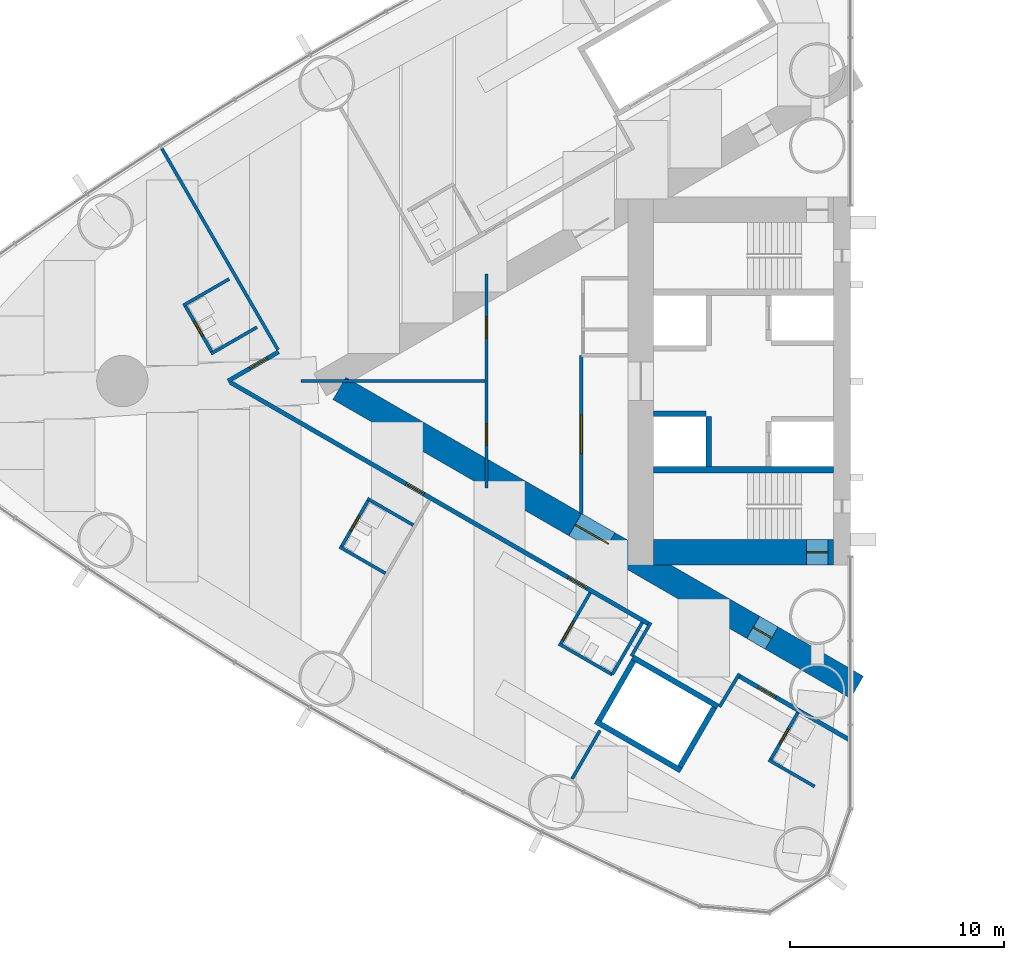
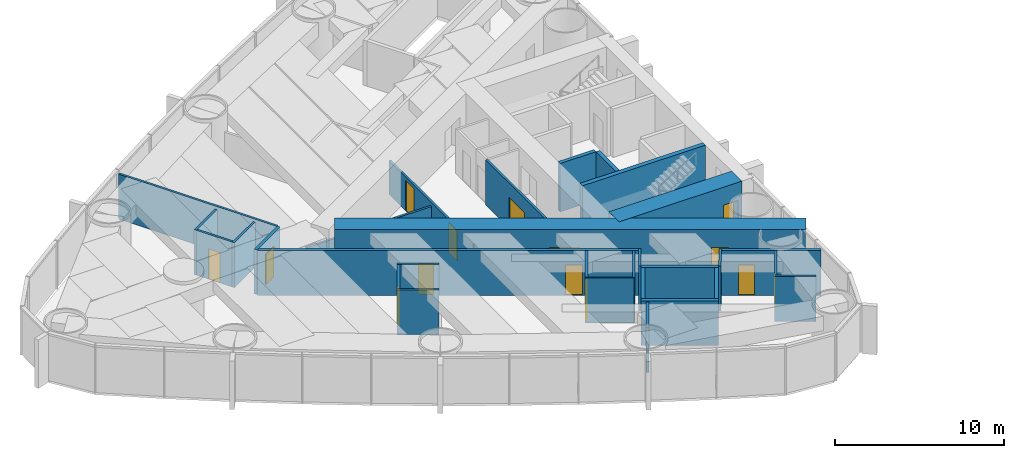
# One storey, part 11 of 18: 30 walls, 14 doors, 14 openings.
"""IFC4 building model written with IfcOpenShell, lengths in metres."""

from ifc_helpers import new_model, si_unit, direction, frame, frame_2d, origin, place, context, subcontext, project, spatial, rectangle, extrude, material, layer, layer_set, type_object, element, fill, save


model = new_model("IFC4")

# Units and contexts
model_context = context("Model", 3, precision=1e-05, world=origin(), true_north=direction((0.0, 1.0)))
body_context = subcontext(model_context, "Body", "Model", "MODEL_VIEW")
ifc_project = project(units=[si_unit("LENGTHUNIT", "METRE"), si_unit("AREAUNIT", "SQUARE_METRE"), si_unit("VOLUMEUNIT", "CUBIC_METRE"), si_unit("PLANEANGLEUNIT", "RADIAN"), si_unit("MASSUNIT", "GRAM", prefix="KILO")], contexts=[model_context])

# Site, building, storey
site_placement = place(None, origin())
site = spatial("IfcSite", under=ifc_project, at=site_placement, CompositionType="ELEMENT")
building_placement = place(site_placement, origin())
building = spatial("IfcBuilding", under=site, at=building_placement, Name="Lancet Gate Hotel", CompositionType="ELEMENT")
storey_placement = place(building_placement, frame((0.0, 0.0, 125.60009765625)))
storey = spatial("IfcBuildingStorey", under=building, at=storey_placement, Name="L33", CompositionType="ELEMENT", Elevation=125.60009765625)

# Wall
ifc_material_1 = material(Name="Moisture resistant board partition")
ifc_layer_1 = layer(ifc_material_1, 0.14990234375)
ifc_layer_set_1 = layer_set([ifc_layer_1], Name="Bathroom wall 150")
wall_type_1 = type_object("IfcWallType", Name="Bathroom wall 150", PredefinedType="PARTITIONING", material=ifc_layer_set_1)
wall_1_placement = place(storey_placement, frame((-56.51708984375, 4.763916015625, 0.0), z_axis=(0.0, 0.0, 1.0), x_axis=(-0.866031185235, -0.4999899861, 0.0)))
element("IfcWall", 1, at=wall_1_placement, inside=storey, type_object=wall_type_1, Name="T1 bathroom wall 150 L33", PredefinedType="PARTITIONING", context=body_context, shape_type="SweptSolid", body=[
    extrude(rectangle(XDim=2.47509765625, YDim=0.14990234375, at=frame_2d((1.237548828125, 0.0))), origin(), (0.0, 0.0, 1.0), 3.25),
])

# Wall, opening, door
wall_2_placement = place(storey_placement, frame((-57.295654296875, 1.312255859375, 0.0), z_axis=(0.0, 0.0, 1.0), x_axis=(-0.49997716683, 0.86603858612, 0.0)))
wall_2 = element("IfcWall", 2, at=wall_2_placement, inside=storey, type_object=wall_type_1, Name="T1 bathroom wall 150 L33", PredefinedType="PARTITIONING", context=body_context, shape_type="SweptSolid", body=[
    extrude(rectangle(XDim=2.599609375, YDim=0.14990234375, at=frame_2d((1.2998046875, 0.0))), origin(), (0.0, 0.0, 1.0), 3.25),
])
opening_1_placement = place(wall_2_placement, frame((0.89990234375, 0.0, 0.0)))
opening_1 = element("IfcOpeningElement", 3, at=opening_1_placement, cuts=wall_2, Name="Opening 3304-B", PredefinedType="OPENING", context=body_context, shape_type="SweptSolid", body=[
    extrude(rectangle(XDim=0.800048828125, YDim=2.199951171875, at=frame_2d((0.39990234375, 1.10009765625))), frame((0.0, 0.0849609375, 0.0), z_axis=(0.0, -1.0, 0.0), x_axis=(1.0, 0.0, 0.0)), (0.0, 0.0, 1.0), 0.169921875),
])
ifc_material_2 = material(Name="Timber door set", Category="wood")
door_type_1 = type_object("IfcDoorType", Name="Bathroom door 800", OperationType="SINGLE_SWING_RIGHT", PredefinedType="DOOR", material=ifc_material_2)
door_1_placement = place(opening_1_placement, origin())
door_1 = element("IfcDoor", 4, at=door_1_placement, inside=storey, type_object=door_type_1, Name="3304-B", OperationType="SINGLE_SWING_RIGHT", OverallHeight=2.199951171875, OverallWidth=0.800048828125, PredefinedType="DOOR", context=body_context, shape_type="SweptSolid", body=[
    extrude(rectangle(XDim=0.800048828125, YDim=2.199951171875, at=frame_2d((0.39990234375, 1.10009765625))), frame((0.0, 0.02490234375, 0.0), z_axis=(0.0, -1.0, 0.0), x_axis=(1.0, 0.0, 0.0)), (0.0, 0.0, 1.0), 0.050048828125),
])
fill(opening_1, door_1)

# Walls
for number, where, z_axis, x_axis, name in (
    (5, (-55.217041015625, 2.51220703125, 0.0), (0.0, 0.0, 1.0), (-0.866031185235, -0.4999899861, 0.0), "T1 bathroom wall 150 L33"),
    (6, (-49.216064453125, -8.97900390625, 0.0), (0.0, 0.0, 1.0), (-0.866031185235, 0.4999899861, 0.0), "T1 bathroom wall 150 L33"),
):
    element("IfcWall", number, at=place(storey_placement, frame(where, z_axis=z_axis, x_axis=x_axis)), inside=storey, type_object=wall_type_1, Name=name, PredefinedType="PARTITIONING", context=body_context, shape_type="SweptSolid", body=[
        extrude(rectangle(XDim=2.47509765625, YDim=0.14990234375, at=frame_2d((1.237548828125, 0.0))), origin(), (0.0, 0.0, 1.0), 3.25),
    ])

# Wall, opening, door
wall_3_placement = place(storey_placement, frame((-49.99462890625, -5.52734375, 0.0), z_axis=(0.0, 0.0, 1.0), x_axis=(-0.500006934395, -0.866021400173, 0.0)))
wall_3 = element("IfcWall", 7, at=wall_3_placement, inside=storey, type_object=wall_type_1, Name="T1 bathroom wall 150 L33", PredefinedType="PARTITIONING", context=body_context, shape_type="SweptSolid", body=[
    extrude(rectangle(XDim=2.60009765625, YDim=0.14990234375, at=frame_2d((1.300048828125, 0.0))), origin(), (0.0, 0.0, 1.0), 3.25),
])
opening_2_placement = place(wall_3_placement, frame((0.89990234375, 0.0, 0.0)))
opening_2 = element("IfcOpeningElement", 8, at=opening_2_placement, cuts=wall_3, Name="Opening 3305-B", PredefinedType="OPENING", context=body_context, shape_type="SweptSolid", body=[
    extrude(rectangle(XDim=0.800048828125, YDim=2.199951171875, at=frame_2d((0.39990234375, 1.10009765625))), frame((0.0, 0.0849609375, 0.0), z_axis=(0.0, -1.0, 0.0), x_axis=(1.0, 0.0, 0.0)), (0.0, 0.0, 1.0), 0.169921875),
])
door_2_placement = place(opening_2_placement, origin())
door_2 = element("IfcDoor", 9, at=door_2_placement, inside=storey, type_object=door_type_1, Name="3305-B", OperationType="SINGLE_SWING_RIGHT", OverallHeight=2.199951171875, OverallWidth=0.800048828125, PredefinedType="DOOR", context=body_context, shape_type="SweptSolid", body=[
    extrude(rectangle(XDim=0.800048828125, YDim=2.199951171875, at=frame_2d((0.39990234375, 1.10009765625))), frame((0.0, 0.02490234375, 0.0), z_axis=(0.0, -1.0, 0.0), x_axis=(1.0, 0.0, 0.0)), (0.0, 0.0, 1.0), 0.050048828125),
])
fill(opening_2, door_2)

# Walls
wall_4_placement = place(storey_placement, frame((-47.916015625, -6.727294921875, 0.0), z_axis=(0.0, 0.0, 1.0), x_axis=(-0.866031185235, 0.4999899861, 0.0)))
element("IfcWall", 10, at=wall_4_placement, inside=storey, type_object=wall_type_1, Name="T1 bathroom wall 150 L33", PredefinedType="PARTITIONING", context=body_context, shape_type="SweptSolid", body=[
    extrude(rectangle(XDim=2.47509765625, YDim=0.14990234375, at=frame_2d((1.237548828125, 0.0))), origin(), (0.0, 0.0, 1.0), 3.25),
])
wall_5_placement = place(storey_placement, frame((-38.630126953125, -13.705322265625, 0.0), z_axis=(0.0, 0.0, 1.0), x_axis=(-0.866018712932, 0.500011588718, 0.0)))
element("IfcWall", 11, at=wall_5_placement, inside=storey, type_object=wall_type_1, Name="T1 bathroom wall 150 L33", PredefinedType="PARTITIONING", context=body_context, shape_type="SweptSolid", body=[
    extrude(rectangle(XDim=2.875, YDim=0.14990234375, at=frame_2d((1.4375, 0.0))), origin(), (0.0, 0.0, 1.0), 3.25),
])

# Wall, opening, door
wall_6_placement = place(storey_placement, frame((-39.65478515625, -9.88037109375, 0.0), z_axis=(0.0, 0.0, 1.0), x_axis=(-0.500049511043, -0.865996816683, 0.0)))
wall_6 = element("IfcWall", 12, at=wall_6_placement, inside=storey, type_object=wall_type_1, Name="T1 bathroom wall 150 L33", PredefinedType="PARTITIONING", context=body_context, shape_type="SweptSolid", body=[
    extrude(rectangle(XDim=2.800048828125, YDim=0.14990234375, at=frame_2d((1.39990234375, 0.0))), origin(), (0.0, 0.0, 1.0), 3.25),
])
opening_3_placement = place(wall_6_placement, frame((1.550048828125, 0.0, 0.0)))
opening_3 = element("IfcOpeningElement", 13, at=opening_3_placement, cuts=wall_6, Name="Opening 3307-B", PredefinedType="OPENING", context=body_context, shape_type="SweptSolid", body=[
    extrude(rectangle(XDim=1.0, YDim=2.199951171875, at=frame_2d((0.5, 1.10009765625))), frame((0.0, 0.0849609375, 0.0), z_axis=(0.0, -1.0, 0.0), x_axis=(1.0, 0.0, 0.0)), (0.0, 0.0, 1.0), 0.169921875),
])
ifc_material_3 = material(Name="Timber door set", Category="wood")
door_type_2 = type_object("IfcDoorType", Name="Accessible en-suite door 1000", OperationType="SINGLE_SWING_RIGHT", PredefinedType="DOOR", material=ifc_material_3)
door_3_placement = place(opening_3_placement, origin())
door_3 = element("IfcDoor", 14, at=door_3_placement, inside=storey, type_object=door_type_2, Name="3307-B", OperationType="SINGLE_SWING_RIGHT", OverallHeight=2.199951171875, OverallWidth=1.0, PredefinedType="DOOR", context=body_context, shape_type="SweptSolid", body=[
    extrude(rectangle(XDim=1.0, YDim=2.199951171875, at=frame_2d((0.5, 1.10009765625))), frame((0.0, 0.02490234375, 0.0), z_axis=(0.0, -1.0, 0.0), x_axis=(1.0, 0.0, 0.0)), (0.0, 0.0, 1.0), 0.050048828125),
])
fill(opening_3, door_3)

# Walls
wall_7_placement = place(storey_placement, frame((-37.22998046875, -11.280517578125, 0.0), z_axis=(0.0, 0.0, 1.0), x_axis=(-0.500049511043, -0.865996816683, 0.0)))
element("IfcWall", 15, at=wall_7_placement, inside=storey, type_object=wall_type_1, Name="T1 bathroom wall 150 L33", PredefinedType="PARTITIONING", context=body_context, shape_type="SweptSolid", body=[
    extrude(rectangle(XDim=2.800048828125, YDim=0.14990234375, at=frame_2d((1.39990234375, 0.0))), origin(), (0.0, 0.0, 1.0), 3.25),
])
wall_8_placement = place(storey_placement, frame((-29.181884765625, -18.92919921875, 0.0), z_axis=(0.0, 0.0, 1.0), x_axis=(-0.866006523861, 0.500032699561, 0.0)))
element("IfcWall", 16, at=wall_8_placement, inside=storey, type_object=wall_type_1, Name="T1 bathroom wall 150 L33", PredefinedType="PARTITIONING", context=body_context, shape_type="SweptSolid", body=[
    extrude(rectangle(XDim=2.474853515625, YDim=0.14990234375, at=frame_2d((1.2373046875, 0.0))), origin(), (0.0, 0.0, 1.0), 3.25),
])

# Wall, opening, door
wall_9_placement = place(storey_placement, frame((-29.960205078125, -15.4775390625, 0.0), z_axis=(0.0, 0.0, 1.0), x_axis=(-0.500006934395, -0.866021400173, 0.0)))
wall_9 = element("IfcWall", 17, at=wall_9_placement, inside=storey, type_object=wall_type_1, Name="T1 bathroom wall 150 L33", PredefinedType="PARTITIONING", context=body_context, shape_type="SweptSolid", body=[
    extrude(rectangle(XDim=2.60009765625, YDim=0.14990234375, at=frame_2d((1.300048828125, 0.0))), origin(), (0.0, 0.0, 1.0), 3.25),
])
opening_4_placement = place(wall_9_placement, frame((0.89990234375, 0.0, 0.0)))
opening_4 = element("IfcOpeningElement", 18, at=opening_4_placement, cuts=wall_9, Name="Opening 3308-B", PredefinedType="OPENING", context=body_context, shape_type="SweptSolid", body=[
    extrude(rectangle(XDim=0.800048828125, YDim=2.199951171875, at=frame_2d((0.39990234375, 1.10009765625))), frame((0.0, 0.0849609375, 0.0), z_axis=(0.0, -1.0, 0.0), x_axis=(1.0, 0.0, 0.0)), (0.0, 0.0, 1.0), 0.169921875),
])
door_4_placement = place(opening_4_placement, origin())
door_4 = element("IfcDoor", 19, at=door_4_placement, inside=storey, type_object=door_type_1, Name="3308-B", OperationType="SINGLE_SWING_RIGHT", OverallHeight=2.199951171875, OverallWidth=0.800048828125, PredefinedType="DOOR", context=body_context, shape_type="SweptSolid", body=[
    extrude(rectangle(XDim=0.800048828125, YDim=2.199951171875, at=frame_2d((0.39990234375, 1.10009765625))), frame((0.0, 0.02490234375, 0.0), z_axis=(0.0, -1.0, 0.0), x_axis=(1.0, 0.0, 0.0)), (0.0, 0.0, 1.0), 0.050048828125),
])
fill(opening_4, door_4)

# Wall, openings, doors
ifc_material_4 = material(Name="Concrete C70/85", Category="concrete")
ifc_layer_2 = layer(ifc_material_4, 1.199951171875)
ifc_layer_set_2 = layer_set([ifc_layer_2], Name="Buttress wall 1200")
wall_type_2 = type_object("IfcWallType", Name="Buttress wall 1200", PredefinedType="SHEAR", material=ifc_layer_set_2)
wall_10_placement = place(storey_placement, frame((-27.199951171875, -14.300048828125, 0.0), z_axis=(0.0, 0.0, 1.0), x_axis=(-0.866024021859, 0.500002393557, 0.0)))
wall_10 = element("IfcWall", 20, at=wall_10_placement, inside=storey, type_object=wall_type_2, Name="T1 buttress wall N L33", PredefinedType="SHEAR", context=body_context, shape_type="SweptSolid", body=[
    extrude(rectangle(XDim=27.906982421875, YDim=1.199951171875, at=frame_2d((13.95361328125, 0.0))), origin(), (0.0, 0.0, 1.0), 3.5),
])
opening_5_placement = place(wall_10_placement, frame((4.60009765625, 0.0, 0.0)))
opening_5 = element("IfcOpeningElement", 21, at=opening_5_placement, cuts=wall_10, Name="Opening T1-L33-LN", PredefinedType="OPENING", context=body_context, shape_type="SweptSolid", body=[
    extrude(rectangle(XDim=1.0, YDim=2.199951171875, at=frame_2d((0.5, 1.10009765625))), frame((0.0, 0.60986328125, 0.0), z_axis=(0.0, -1.0, 0.0), x_axis=(1.0, 0.0, 0.0)), (0.0, 0.0, 1.0), 1.219970703125),
])
opening_6_placement = place(wall_10_placement, frame((13.39453125, 0.0, 0.0)))
opening_6 = element("IfcOpeningElement", 22, at=opening_6_placement, cuts=wall_10, Name="Opening T1-L33-LHN", PredefinedType="OPENING", context=body_context, shape_type="SweptSolid", body=[
    extrude(rectangle(XDim=1.800048828125, YDim=2.199951171875, at=frame_2d((0.89990234375, 1.10009765625))), frame((0.0, 0.60986328125, 0.0), z_axis=(0.0, -1.0, 0.0), x_axis=(1.0, 0.0, 0.0)), (0.0, 0.0, 1.0), 1.219970703125),
])
ifc_material_5 = material(Name="Timber door set", Category="wood")
door_type_3 = type_object("IfcDoorType", Name="Lobby double door 1800", OperationType="DOUBLE_DOOR_SINGLE_SWING", PredefinedType="DOOR", material=ifc_material_5)
door_5_placement = place(opening_6_placement, origin())
door_5 = element("IfcDoor", 23, at=door_5_placement, inside=storey, type_object=door_type_3, Name="T1-L33-LHN", OperationType="DOUBLE_DOOR_SINGLE_SWING", OverallHeight=2.199951171875, OverallWidth=1.800048828125, PredefinedType="DOOR", context=body_context, shape_type="SweptSolid", body=[
    extrude(rectangle(XDim=1.800048828125, YDim=2.199951171875, at=frame_2d((0.89990234375, 1.10009765625))), frame((0.0, 0.02490234375, 0.0), z_axis=(0.0, -1.0, 0.0), x_axis=(1.0, 0.0, 0.0)), (0.0, 0.0, 1.0), 0.050048828125),
])
fill(opening_6, door_5)
ifc_material_6 = material(Name="Timber door set", Category="wood")
door_type_4 = type_object("IfcDoorType", Name="Stair lobby door 1000", OperationType="SINGLE_SWING_LEFT", PredefinedType="DOOR", material=ifc_material_6)
door_6_placement = place(opening_5_placement, origin())
door_6 = element("IfcDoor", 24, at=door_6_placement, inside=storey, type_object=door_type_4, Name="T1-L33-LN", OperationType="SINGLE_SWING_LEFT", OverallHeight=2.199951171875, OverallWidth=1.0, PredefinedType="DOOR", context=body_context, shape_type="SweptSolid", body=[
    extrude(rectangle(XDim=1.0, YDim=2.199951171875, at=frame_2d((0.5, 1.10009765625))), frame((0.0, 0.02490234375, 0.0), z_axis=(0.0, -1.0, 0.0), x_axis=(1.0, 0.0, 0.0)), (0.0, 0.0, 1.0), 0.050048828125),
])
fill(opening_5, door_6)

# Wall, opening, door
ifc_material_7 = material(Name="Concrete C70/85", Category="concrete")
ifc_layer_3 = layer(ifc_material_7, 1.199951171875)
ifc_layer_set_3 = layer_set([ifc_layer_3], Name="Core wall 1200")
wall_type_3 = type_object("IfcWallType", Name="Core wall 1200", PredefinedType="SHEAR", material=ifc_layer_set_3)
wall_11_placement = place(storey_placement, frame((-28.300048828125, -8.0, 0.0), z_axis=(0.0, 0.0, 1.0), x_axis=(-1.0, 0.0, 0.0)))
wall_11 = element("IfcWall", 25, at=wall_11_placement, inside=storey, type_object=wall_type_3, Name="T1 core wall side-N L33", PredefinedType="SHEAR", context=body_context, shape_type="SweptSolid", body=[
    extrude(rectangle(XDim=8.39990234375, YDim=1.199951171875, at=frame_2d((4.199951171875, 0.0))), origin(), (0.0, 0.0, 1.0), 3.5),
])
opening_7_placement = place(wall_11_placement, frame((0.25, 0.0, 0.0)))
opening_7 = element("IfcOpeningElement", 26, at=opening_7_placement, cuts=wall_11, Name="Opening T1-L33-ST2", PredefinedType="OPENING", context=body_context, shape_type="SweptSolid", body=[
    extrude(rectangle(XDim=1.0, YDim=2.199951171875, at=frame_2d((0.5, 1.10009765625))), frame((0.0, 0.60986328125, 0.0), z_axis=(0.0, -1.0, 0.0), x_axis=(1.0, 0.0, 0.0)), (0.0, 0.0, 1.0), 1.219970703125),
])
ifc_material_8 = material(Name="Timber door set", Category="wood")
door_type_5 = type_object("IfcDoorType", Name="Stair door 1000", OperationType="SINGLE_SWING_RIGHT", PredefinedType="DOOR", material=ifc_material_8)
door_7_placement = place(opening_7_placement, origin())
door_7 = element("IfcDoor", 27, at=door_7_placement, inside=storey, type_object=door_type_5, Name="T1-L33-ST2", OperationType="SINGLE_SWING_RIGHT", OverallHeight=2.199951171875, OverallWidth=1.0, PredefinedType="DOOR", context=body_context, shape_type="SweptSolid", body=[
    extrude(rectangle(XDim=1.0, YDim=2.199951171875, at=frame_2d((0.5, 1.10009765625))), frame((0.0, 0.02490234375, 0.0), z_axis=(0.0, -1.0, 0.0), x_axis=(1.0, 0.0, 0.0)), (0.0, 0.0, 1.0), 0.050048828125),
])
fill(opening_7, door_7)

ifc_material_9 = material(Name="Gypsum board partition")
ifc_layer_4 = layer(ifc_material_9, 0.199951171875)
ifc_layer_set_4 = layer_set([ifc_layer_4], Name="Corridor wall 200")
wall_type_4 = type_object("IfcWallType", Name="Corridor wall 200", PredefinedType="PARTITIONING", material=ifc_layer_set_4)
wall_12_placement = place(storey_placement, frame((-27.572021484375, -16.740966796875, 0.0), z_axis=(0.0, 0.0, 1.0), x_axis=(-0.866024464444, 0.500001626982, 0.0)))
wall_12 = element("IfcWall", 28, at=wall_12_placement, inside=storey, type_object=wall_type_4, Name="T1 corridor wall 200 L33", PredefinedType="PARTITIONING", context=body_context, shape_type="SweptSolid", body=[
    extrude(rectangle(XDim=5.955078125, YDim=0.199951171875, at=frame_2d((2.9775390625, 0.0))), origin(), (0.0, 0.0, 1.0), 3.25),
])
opening_8_placement = place(wall_12_placement, frame((3.949951171875, 0.0, 0.0)))
opening_8 = element("IfcOpeningElement", 29, at=opening_8_placement, cuts=wall_12, Name="Opening 3308-E", PredefinedType="OPENING", context=body_context, shape_type="SweptSolid", body=[
    extrude(rectangle(XDim=0.949951171875, YDim=2.199951171875, at=frame_2d((0.47509765625, 1.10009765625))), frame((0.0, 0.10986328125, 0.0), z_axis=(0.0, -1.0, 0.0), x_axis=(1.0, 0.0, 0.0)), (0.0, 0.0, 1.0), 0.219970703125),
])
ifc_material_10 = material(Name="Timber door set", Category="wood")
door_type_6 = type_object("IfcDoorType", Name="Guest room entry door 950", OperationType="SINGLE_SWING_LEFT", PredefinedType="DOOR", material=ifc_material_10)
door_8_placement = place(opening_8_placement, origin())
door_8 = element("IfcDoor", 30, at=door_8_placement, inside=storey, type_object=door_type_6, Name="3308-E", OperationType="SINGLE_SWING_LEFT", OverallHeight=2.199951171875, OverallWidth=0.949951171875, PredefinedType="DOOR", context=body_context, shape_type="SweptSolid", body=[
    extrude(rectangle(XDim=0.949951171875, YDim=2.199951171875, at=frame_2d((0.47509765625, 1.10009765625))), frame((0.0, 0.02490234375, 0.0), z_axis=(0.0, -1.0, 0.0), x_axis=(1.0, 0.0, 0.0)), (0.0, 0.0, 1.0), 0.050048828125),
])
fill(opening_8, door_8)

# Wall, openings, doors
wall_13_placement = place(storey_placement, frame((-36.920166015625, -11.34375, 0.0), z_axis=(0.0, 0.0, 1.0), x_axis=(-0.866028313256, 0.499994960614, 0.0)))
wall_13 = element("IfcWall", 31, at=wall_13_placement, inside=storey, type_object=wall_type_4, Name="T1 corridor wall 200 L33", PredefinedType="PARTITIONING", context=body_context, shape_type="SweptSolid", body=[
    extrude(rectangle(XDim=22.567626953125, YDim=0.199951171875, at=frame_2d((11.28369140625, 0.0))), origin(), (0.0, 0.0, 1.0), 3.25),
])
opening_9_placement = place(wall_13_placement, frame((12.130859375, 0.0, 0.0)))
opening_9 = element("IfcOpeningElement", 32, at=opening_9_placement, cuts=wall_13, Name="Opening 3305-E", PredefinedType="OPENING", context=body_context, shape_type="SweptSolid", body=[
    extrude(rectangle(XDim=0.949951171875, YDim=2.199951171875, at=frame_2d((0.47509765625, 1.10009765625))), frame((0.0, 0.10986328125, 0.0), z_axis=(0.0, -1.0, 0.0), x_axis=(1.0, 0.0, 0.0)), (0.0, 0.0, 1.0), 0.219970703125),
])
opening_10_placement = place(wall_13_placement, frame((3.35009765625, 0.0, 0.0)))
opening_10 = element("IfcOpeningElement", 33, at=opening_10_placement, cuts=wall_13, Name="Opening 3307-E", PredefinedType="OPENING", context=body_context, shape_type="SweptSolid", body=[
    extrude(rectangle(XDim=1.0, YDim=2.199951171875, at=frame_2d((0.5, 1.10009765625))), frame((0.0, 0.10986328125, 0.0), z_axis=(0.0, -1.0, 0.0), x_axis=(1.0, 0.0, 0.0)), (0.0, 0.0, 1.0), 0.219970703125),
])
ifc_material_11 = material(Name="Timber door set", Category="wood")
door_type_7 = type_object("IfcDoorType", Name="Accessible guest room door 1000", OperationType="SINGLE_SWING_LEFT", PredefinedType="DOOR", material=ifc_material_11)
door_9_placement = place(opening_10_placement, origin())
door_9 = element("IfcDoor", 34, at=door_9_placement, inside=storey, type_object=door_type_7, Name="3307-E", OperationType="SINGLE_SWING_LEFT", OverallHeight=2.199951171875, OverallWidth=1.0, PredefinedType="DOOR", context=body_context, shape_type="SweptSolid", body=[
    extrude(rectangle(XDim=1.0, YDim=2.199951171875, at=frame_2d((0.5, 1.10009765625))), frame((0.0, 0.02490234375, 0.0), z_axis=(0.0, -1.0, 0.0), x_axis=(1.0, 0.0, 0.0)), (0.0, 0.0, 1.0), 0.050048828125),
])
fill(opening_10, door_9)
door_10_placement = place(opening_9_placement, origin())
door_10 = element("IfcDoor", 35, at=door_10_placement, inside=storey, type_object=door_type_6, Name="3305-E", OperationType="SINGLE_SWING_LEFT", OverallHeight=2.199951171875, OverallWidth=0.949951171875, PredefinedType="DOOR", context=body_context, shape_type="SweptSolid", body=[
    extrude(rectangle(XDim=0.949951171875, YDim=2.199951171875, at=frame_2d((0.47509765625, 1.10009765625))), frame((0.0, 0.02490234375, 0.0), z_axis=(0.0, -1.0, 0.0), x_axis=(1.0, 0.0, 0.0)), (0.0, 0.0, 1.0), 0.050048828125),
])
fill(opening_9, door_10)

# Wall, opening, door
wall_14_placement = place(storey_placement, frame((-54.207275390625, 1.363037109375, 0.0), z_axis=(0.0, 0.0, 1.0), x_axis=(-0.866046902845, -0.499962760685, 0.0)))
wall_14 = element("IfcWall", 36, at=wall_14_placement, inside=storey, type_object=wall_type_4, Name="T1 corridor wall 200 L33", PredefinedType="PARTITIONING", context=body_context, shape_type="SweptSolid", body=[
    extrude(rectangle(XDim=2.726318359375, YDim=0.199951171875, at=frame_2d((1.36328125, 0.0))), origin(), (0.0, 0.0, 1.0), 3.25),
])
opening_11_placement = place(wall_14_placement, frame((0.60009765625, 0.0, 0.0)))
opening_11 = element("IfcOpeningElement", 37, at=opening_11_placement, cuts=wall_14, Name="Opening 3304-E", PredefinedType="OPENING", context=body_context, shape_type="SweptSolid", body=[
    extrude(rectangle(XDim=0.949951171875, YDim=2.199951171875, at=frame_2d((0.47509765625, 1.10009765625))), frame((0.0, 0.10986328125, 0.0), z_axis=(0.0, -1.0, 0.0), x_axis=(1.0, 0.0, 0.0)), (0.0, 0.0, 1.0), 0.219970703125),
])
door_11_placement = place(opening_11_placement, origin())
door_11 = element("IfcDoor", 38, at=door_11_placement, inside=storey, type_object=door_type_6, Name="3304-E", OperationType="SINGLE_SWING_LEFT", OverallHeight=2.199951171875, OverallWidth=0.949951171875, PredefinedType="DOOR", context=body_context, shape_type="SweptSolid", body=[
    extrude(rectangle(XDim=0.949951171875, YDim=2.199951171875, at=frame_2d((0.47509765625, 1.10009765625))), frame((0.0, 0.02490234375, 0.0), z_axis=(0.0, -1.0, 0.0), x_axis=(1.0, 0.0, 0.0)), (0.0, 0.0, 1.0), 0.050048828125),
])
fill(opening_11, door_11)

# Walls
ifc_material_12 = material(Name="Gypsum board partition")
ifc_layer_5 = layer(ifc_material_12, 0.25)
ifc_layer_set_5 = layer_set([ifc_layer_5], Name="Lift shaft partition 250")
wall_type_5 = type_object("IfcWallType", Name="Lift shaft partition 250", PredefinedType="PARTITIONING", material=ifc_layer_set_5)
wall_15_placement = place(storey_placement, frame((-33.695556640625, -15.197265625, 0.0), z_axis=(0.0, 0.0, 1.0), x_axis=(-0.865976953817, 0.500083908417, 0.0)))
element("IfcWall", 39, at=wall_15_placement, inside=storey, type_object=wall_type_5, Name="T1 lift shaft wall EX L33", PredefinedType="PARTITIONING", context=body_context, shape_type="SweptSolid", body=[
    extrude(rectangle(XDim=4.599365234375, YDim=0.25, at=frame_2d((2.2998046875, 0.0))), origin(), (0.0, 0.0, 1.0), 3.25),
])
wall_16_placement = place(storey_placement, frame((-35.42041015625, -18.185791015625, 0.0), z_axis=(0.0, 0.0, 1.0), x_axis=(-0.865990227814, 0.50006092162, 0.0)))
element("IfcWall", 40, at=wall_16_placement, inside=storey, type_object=wall_type_5, Name="T1 lift shaft wall EX L33", PredefinedType="PARTITIONING", context=body_context, shape_type="SweptSolid", body=[
    extrude(rectangle(XDim=4.599609375, YDim=0.25, at=frame_2d((2.2998046875, 0.0))), origin(), (0.0, 0.0, 1.0), 3.25),
])
wall_17_placement = place(storey_placement, frame((-33.8662109375, -15.242919921875, 0.0), z_axis=(0.0, 0.0, 1.0), x_axis=(-0.499929347863, -0.866066190972, 0.0)))
element("IfcWall", 41, at=wall_17_placement, inside=storey, type_object=wall_type_5, Name="T1 lift shaft wall EX L33", PredefinedType="PARTITIONING", context=body_context, shape_type="SweptSolid", body=[
    extrude(rectangle(XDim=3.20068359375, YDim=0.25, at=frame_2d((1.600341796875, 0.0))), origin(), (0.0, 0.0, 1.0), 3.25),
])
wall_18_placement = place(storey_placement, frame((-37.6328125, -13.068115234375, 0.0), z_axis=(0.0, 0.0, 1.0), x_axis=(-0.499872130319, -0.866099216793, 0.0)))
element("IfcWall", 42, at=wall_18_placement, inside=storey, type_object=wall_type_5, Name="T1 lift shaft wall EX L33", PredefinedType="PARTITIONING", context=body_context, shape_type="SweptSolid", body=[
    extrude(rectangle(XDim=3.200439453125, YDim=0.25, at=frame_2d((1.60009765625, 0.0))), origin(), (0.0, 0.0, 1.0), 3.25),
])
ifc_material_13 = material(Name="Concrete C50/60", Category="concrete")
ifc_layer_6 = layer(ifc_material_13, 0.25)
ifc_layer_set_6 = layer_set([ifc_layer_6], Name="Lift shaft wall 250")
wall_type_6 = type_object("IfcWallType", Name="Lift shaft wall 250", PredefinedType="SHEAR", material=ifc_layer_set_6)
wall_19_placement = place(storey_placement, frame((-34.125, -1.64990234375, 0.0), z_axis=(0.0, 0.0, 1.0), x_axis=(0.0, -1.0, 0.0)))
element("IfcWall", 43, at=wall_19_placement, inside=storey, type_object=wall_type_6, Name="T1 core wall row2-N L33", PredefinedType="SHEAR", context=body_context, shape_type="SweptSolid", body=[
    extrude(rectangle(XDim=2.35009765625, YDim=0.25, at=frame_2d((1.175048828125, 0.0))), origin(), (0.0, 0.0, 1.0), 3.5),
])
wall_20_placement = place(storey_placement, frame((-34.25, -1.52490234375, 0.0), z_axis=(0.0, 0.0, 1.0), x_axis=(-1.0, 0.0, 0.0)))
element("IfcWall", 44, at=wall_20_placement, inside=storey, type_object=wall_type_6, Name="T1 core wall pass2-N L33", PredefinedType="SHEAR", context=body_context, shape_type="SweptSolid", body=[
    extrude(rectangle(XDim=2.449951171875, YDim=0.25, at=frame_2d((1.22509765625, 0.0))), origin(), (0.0, 0.0, 1.0), 3.5),
])
ifc_material_14 = material(Name="Gypsum board partition")
ifc_layer_7 = layer(ifc_material_14, 0.14990234375)
ifc_layer_set_7 = layer_set([ifc_layer_7], Name="Party wall 150")
wall_type_7 = type_object("IfcWallType", Name="Party wall 150", PredefinedType="PARTITIONING", material=ifc_layer_set_7)
wall_21_placement = place(storey_placement, frame((-54.235595703125, 1.462158203125, 0.0), z_axis=(0.0, 0.0, 1.0), x_axis=(-0.499990351854, 0.866030974073, 0.0)))
element("IfcWall", 45, at=wall_21_placement, inside=storey, type_object=wall_type_7, Name="T1 party wall 150 L33", PredefinedType="PARTITIONING", context=body_context, shape_type="SweptSolid", body=[
    extrude(rectangle(XDim=10.833740234375, YDim=0.14990234375, at=frame_2d((5.4169921875, 0.0))), origin(), (0.0, 0.0, 1.0), 3.25),
])
wall_22_placement = place(storey_placement, frame((-39.2021484375, -16.319580078125, 0.0), z_axis=(0.0, 0.0, 1.0), x_axis=(-0.49997716683, -0.86603858612, 0.0)))
element("IfcWall", 46, at=wall_22_placement, inside=storey, type_object=wall_type_7, Name="T1 party wall 150 L33", PredefinedType="PARTITIONING", context=body_context, shape_type="SweptSolid", body=[
    extrude(rectangle(XDim=2.599609375, YDim=0.14990234375, at=frame_2d((1.2998046875, 0.0))), origin(), (0.0, 0.0, 1.0), 3.25),
])
ifc_material_15 = material(Name="Gypsum board partition")
ifc_layer_8 = layer(ifc_material_15, 0.14990234375)
ifc_layer_set_8 = layer_set([ifc_layer_8], Name="Service room wall 150")
wall_type_8 = type_object("IfcWallType", Name="Service room wall 150", PredefinedType="PARTITIONING", material=ifc_layer_set_8)
wall_23_placement = place(storey_placement, frame((-36.831298828125, -11.27978515625, 0.0), z_axis=(0.0, 0.0, 1.0), x_axis=(-0.499937177781, -0.866061671171, 0.0)))
element("IfcWall", 47, at=wall_23_placement, inside=storey, type_object=wall_type_8, Name="T1 service room wall 150 L33", PredefinedType="PARTITIONING", context=body_context, shape_type="SweptSolid", body=[
    extrude(rectangle(XDim=1.804443359375, YDim=0.14990234375, at=frame_2d((0.90234375, 0.0))), origin(), (0.0, 0.0, 1.0), 3.25),
])
wall_24_placement = place(storey_placement, frame((-33.62060546875, -15.217529296875, 0.0), z_axis=(0.0, 0.0, 1.0), x_axis=(0.514336634837, 0.857588377991, 0.0)))
element("IfcWall", 48, at=wall_24_placement, inside=storey, type_object=wall_type_8, Name="T1 service room wall 150 L33", PredefinedType="PARTITIONING", context=body_context, shape_type="SweptSolid", body=[
    extrude(rectangle(XDim=1.80517578125, YDim=0.14990234375, at=frame_2d((0.902587890625, 0.0))), origin(), (0.0, 0.0, 1.0), 3.25),
])

# Wall, opening, door
wall_25_placement = place(storey_placement, frame((-40.074951171875, 1.199951171875, 0.0), z_axis=(0.0, 0.0, 1.0), x_axis=(0.0, -1.0, 0.0)))
wall_25 = element("IfcWall", 49, at=wall_25_placement, inside=storey, type_object=wall_type_8, Name="T1 service room wall 150 L33", PredefinedType="PARTITIONING", context=body_context, shape_type="SweptSolid", body=[
    extrude(rectangle(XDim=7.373779296875, YDim=0.14990234375, at=frame_2d((3.68701171875, 0.0))), origin(), (0.0, 0.0, 1.0), 3.25),
])
opening_12_placement = place(wall_25_placement, frame((2.786865234375, 0.0, 0.0)))
opening_12 = element("IfcOpeningElement", 50, at=opening_12_placement, cuts=wall_25, Name="Opening T1-L33-LH", PredefinedType="OPENING", context=body_context, shape_type="SweptSolid", body=[
    extrude(rectangle(XDim=1.800048828125, YDim=2.199951171875, at=frame_2d((0.89990234375, 1.10009765625))), frame((0.0, 0.0849609375, 0.0), z_axis=(0.0, -1.0, 0.0), x_axis=(1.0, 0.0, 0.0)), (0.0, 0.0, 1.0), 0.169921875),
])
door_12_placement = place(opening_12_placement, origin())
door_12 = element("IfcDoor", 51, at=door_12_placement, inside=storey, type_object=door_type_3, Name="T1-L33-LH", OperationType="DOUBLE_DOOR_SINGLE_SWING", OverallHeight=2.199951171875, OverallWidth=1.800048828125, PredefinedType="DOOR", context=body_context, shape_type="SweptSolid", body=[
    extrude(rectangle(XDim=1.800048828125, YDim=2.199951171875, at=frame_2d((0.89990234375, 1.10009765625))), frame((0.0, 0.02490234375, 0.0), z_axis=(0.0, -1.0, 0.0), x_axis=(1.0, 0.0, 0.0)), (0.0, 0.0, 1.0), 0.050048828125),
])
fill(opening_12, door_12)

# Wall, openings, doors
wall_26_placement = place(storey_placement, frame((-44.5, 5.004638671875, 0.0), z_axis=(0.0, 0.0, 1.0), x_axis=(0.0, -1.0, 0.0)))
wall_26 = element("IfcWall", 52, at=wall_26_placement, inside=storey, type_object=wall_type_8, Name="T1 service room wall 150 L33", PredefinedType="PARTITIONING", context=body_context, shape_type="SweptSolid", body=[
    extrude(rectangle(XDim=10.00927734375, YDim=0.14990234375, at=frame_2d((5.004638671875, 0.0))), origin(), (0.0, 0.0, 1.0), 2.449951171875),
])
opening_13_placement = place(wall_26_placement, frame((2.002197265625, 0.0, 0.0)))
opening_13 = element("IfcOpeningElement", 53, at=opening_13_placement, cuts=wall_26, Name="Opening T1-L33-SV", PredefinedType="OPENING", context=body_context, shape_type="SweptSolid", body=[
    extrude(rectangle(XDim=1.0, YDim=2.199951171875, at=frame_2d((0.5, 1.10009765625))), frame((0.0, 0.0849609375, 0.0), z_axis=(0.0, -1.0, 0.0), x_axis=(1.0, 0.0, 0.0)), (0.0, 0.0, 1.0), 0.169921875),
])
opening_14_placement = place(wall_26_placement, frame((7.0068359375, 0.0, 0.0)))
opening_14 = element("IfcOpeningElement", 54, at=opening_14_placement, cuts=wall_26, Name="Opening T1-L33-SV2", PredefinedType="OPENING", context=body_context, shape_type="SweptSolid", body=[
    extrude(rectangle(XDim=1.0, YDim=2.199951171875, at=frame_2d((0.5, 1.10009765625))), frame((0.0, 0.0849609375, 0.0), z_axis=(0.0, -1.0, 0.0), x_axis=(1.0, 0.0, 0.0)), (0.0, 0.0, 1.0), 0.169921875),
])
ifc_material_16 = material(Name="Timber door set", Category="wood")
door_type_8 = type_object("IfcDoorType", Name="Service door 1000", OperationType="SINGLE_SWING_LEFT", PredefinedType="DOOR", material=ifc_material_16)
door_13_placement = place(opening_13_placement, origin())
door_13 = element("IfcDoor", 55, at=door_13_placement, inside=storey, type_object=door_type_8, Name="T1-L33-SV", OperationType="SINGLE_SWING_LEFT", OverallHeight=2.199951171875, OverallWidth=1.0, PredefinedType="DOOR", context=body_context, shape_type="SweptSolid", body=[
    extrude(rectangle(XDim=1.0, YDim=2.199951171875, at=frame_2d((0.5, 1.10009765625))), frame((0.0, 0.02490234375, 0.0), z_axis=(0.0, -1.0, 0.0), x_axis=(1.0, 0.0, 0.0)), (0.0, 0.0, 1.0), 0.050048828125),
])
fill(opening_13, door_13)
door_14_placement = place(opening_14_placement, origin())
door_14 = element("IfcDoor", 56, at=door_14_placement, inside=storey, type_object=door_type_8, Name="T1-L33-SV2", OperationType="SINGLE_SWING_LEFT", OverallHeight=2.199951171875, OverallWidth=1.0, PredefinedType="DOOR", context=body_context, shape_type="SweptSolid", body=[
    extrude(rectangle(XDim=1.0, YDim=2.199951171875, at=frame_2d((0.5, 1.10009765625))), frame((0.0, 0.02490234375, 0.0), z_axis=(0.0, -1.0, 0.0), x_axis=(1.0, 0.0, 0.0)), (0.0, 0.0, 1.0), 0.050048828125),
])
fill(opening_14, door_14)

# Walls
wall_27_placement = place(storey_placement, frame((-44.574951171875, 0.0, 0.0), z_axis=(0.0, 0.0, 1.0), x_axis=(-1.0, 0.0, 0.0)))
element("IfcWall", 57, at=wall_27_placement, inside=storey, type_object=wall_type_8, Name="T1 service room wall 150 L33", PredefinedType="PARTITIONING", context=body_context, shape_type="SweptSolid", body=[
    extrude(rectangle(XDim=8.59326171875, YDim=0.14990234375, at=frame_2d((4.296630859375, 0.0))), origin(), (0.0, 0.0, 1.0), 2.199951171875),
])
ifc_material_17 = material(Name="Concrete C50/60", Category="concrete")
ifc_layer_9 = layer(ifc_material_17, 0.300048828125)
ifc_layer_set_9 = layer_set([ifc_layer_9], Name="Stair enclosure wall 300")
wall_type_9 = type_object("IfcWallType", Name="Stair enclosure wall 300", PredefinedType="SHEAR", material=ifc_layer_set_9)
wall_28_placement = place(storey_placement, frame((-28.300048828125, -4.14990234375, 0.0), z_axis=(0.0, 0.0, 1.0), x_axis=(-1.0, 0.0, 0.0)))
element("IfcWall", 58, at=wall_28_placement, inside=storey, type_object=wall_type_9, Name="T1 core wall stair-N L33", PredefinedType="SHEAR", context=body_context, shape_type="SweptSolid", body=[
    extrude(rectangle(XDim=8.39990234375, YDim=0.300048828125, at=frame_2d((4.199951171875, 0.0))), origin(), (0.0, 0.0, 1.0), 3.5),
])

save(model, "model.ifc")
